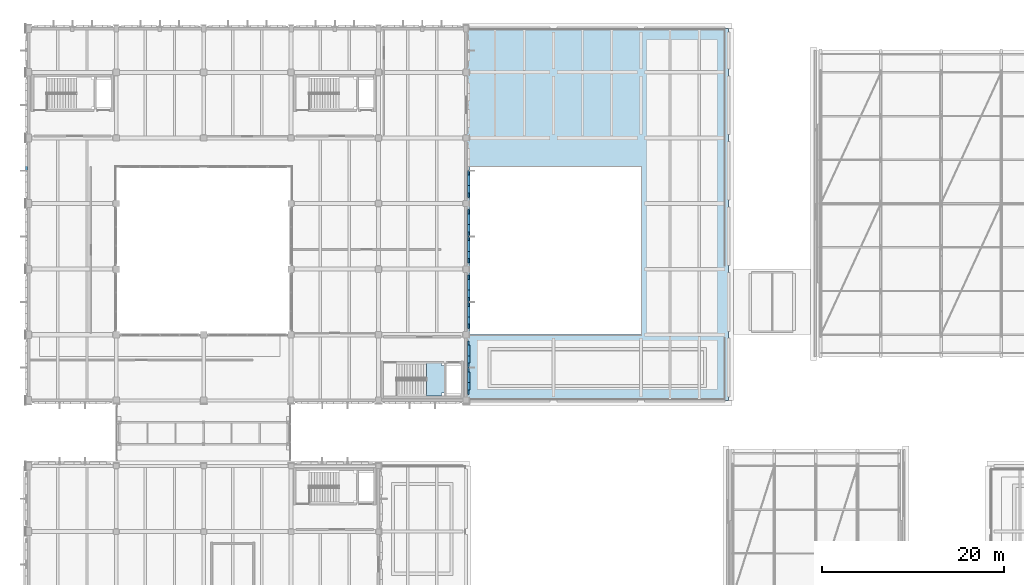
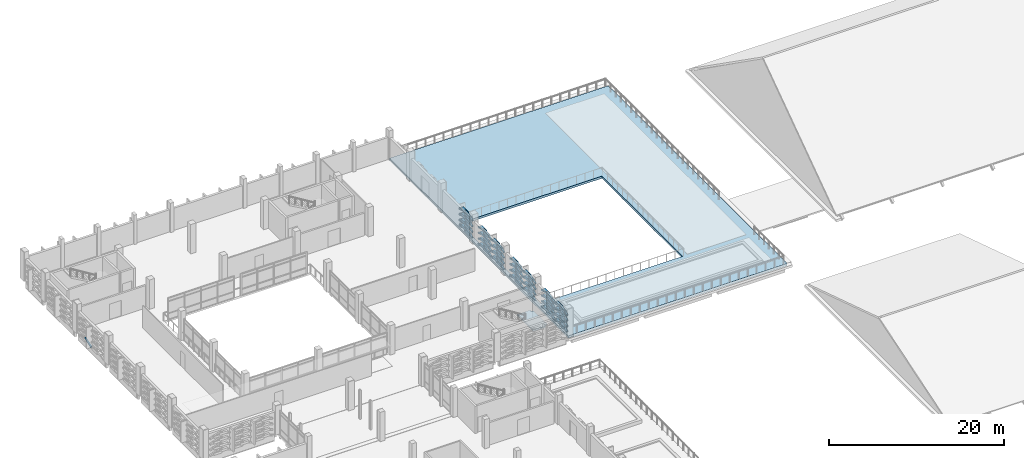
# One storey, part 99 of 134: 113 plates, 2 slabs, 1 element without a shape of its own.
"""IFC4 building model written with IfcOpenShell, lengths in metres."""

from ifc_helpers import new_model, si_unit, direction, frame, origin, origin_2d, place, context, subcontext, project, spatial, polyline, rectangle, hollow_rectangle, outline, extrude, material, layer, layer_set, material_profile, profile_set, type_object, element, aggregate, save


model = new_model("IFC4")

# Units and contexts
model_context = context("Model", 3, precision=1e-05, world=origin(), true_north=direction((0.0, 1.0)))
body_context = subcontext(model_context, "Body", "Model", "MODEL_VIEW")
ifc_project = project(units=[si_unit("LENGTHUNIT", "METRE"), si_unit("AREAUNIT", "SQUARE_METRE"), si_unit("VOLUMEUNIT", "CUBIC_METRE"), si_unit("PLANEANGLEUNIT", "RADIAN"), si_unit("MASSUNIT", "GRAM", prefix="KILO")], contexts=[model_context])

# Site, building, storey
site_placement = place(None, origin())
site = spatial("IfcSite", under=ifc_project, at=site_placement, CompositionType="ELEMENT")
building_placement = place(site_placement, origin())
building = spatial("IfcBuilding", under=site, at=building_placement, Name="Asteropetra Specialist Clinic", CompositionType="ELEMENT")
storey_placement = place(building_placement, frame((0.0, 0.0, 8.5)))
storey = spatial("IfcBuildingStorey", under=building, at=storey_placement, Name="L02", CompositionType="ELEMENT", Elevation=8.5)

# Plates
ifc_material_1 = material(Name="Chevron emerald aluminium 6063-T6", Category="aluminium")
ifc_material_profile = material_profile(ifc_material_1, hollow_rectangle(XDim=0.199951171875, YDim=0.199951171875, WallThickness=0.010009765625, InnerFilletRadius=0.008056640625, OuterFilletRadius=0.01611328125, at=origin_2d()), Name="SHS 200x200x10.0")
ifc_profile_set = profile_set([ifc_material_profile], Name="Chevron emerald aluminium 6063-T6")
plate_type_1 = type_object("IfcPlateType", Name="CHV-RIB-200", PredefinedType="SHEET", material=ifc_profile_set)
plate_1_placement = place(storey_placement, frame((48.241943359375, 70.2900390625, 0.050048828125), z_axis=(0.0, 0.952521261695, 0.304472077568), x_axis=(-1.0, 0.0, 0.0)))
element("IfcPlate", 1, at=plate_1_placement, inside=storey, type_object=plate_type_1, Name="Chevron Facade Screen Fin CVR-1043", PredefinedType="SHEET", context=body_context, shape_type="SweptSolid", body=[
    extrude(hollow_rectangle(XDim=0.199951171875, YDim=0.199951171875, WallThickness=0.010009765625, InnerFilletRadius=0.008056640625, OuterFilletRadius=0.01611328125, at=origin_2d()), origin(), (0.0, 0.0, 1.0), 1.51708984375),
])
plate_2_placement = place(storey_placement, frame((48.241943359375, 71.735107421875, 0.511962890625), z_axis=(0.0, 0.952506339897, -0.304518755506), x_axis=(-1.0, 0.0, 0.0)))
element("IfcPlate", 2, at=plate_2_placement, inside=storey, type_object=plate_type_1, Name="Chevron Facade Screen Fin CVR-1044", PredefinedType="SHEET", context=body_context, shape_type="SweptSolid", body=[
    extrude(hollow_rectangle(XDim=0.199951171875, YDim=0.199951171875, WallThickness=0.010009765625, InnerFilletRadius=0.008056640625, OuterFilletRadius=0.01611328125, at=origin_2d()), origin(), (0.0, 0.0, 1.0), 1.516845703125),
])
plate_3_placement = place(storey_placement, frame((48.241943359375, 70.2900390625, 0.820068359375), z_axis=(0.0, 0.952521261695, 0.304472077568), x_axis=(-1.0, 0.0, 0.0)))
element("IfcPlate", 3, at=plate_3_placement, inside=storey, type_object=plate_type_1, Name="Chevron Facade Screen Fin CVR-1045", PredefinedType="SHEET", context=body_context, shape_type="SweptSolid", body=[
    extrude(hollow_rectangle(XDim=0.199951171875, YDim=0.199951171875, WallThickness=0.010009765625, InnerFilletRadius=0.008056640625, OuterFilletRadius=0.01611328125, at=origin_2d()), origin(), (0.0, 0.0, 1.0), 1.51708984375),
])
plate_4_placement = place(storey_placement, frame((48.241943359375, 71.735107421875, 1.281982421875), z_axis=(0.0, 0.952506339897, -0.304518755506), x_axis=(-1.0, 0.0, 0.0)))
element("IfcPlate", 4, at=plate_4_placement, inside=storey, type_object=plate_type_1, Name="Chevron Facade Screen Fin CVR-1046", PredefinedType="SHEET", context=body_context, shape_type="SweptSolid", body=[
    extrude(hollow_rectangle(XDim=0.199951171875, YDim=0.199951171875, WallThickness=0.010009765625, InnerFilletRadius=0.008056640625, OuterFilletRadius=0.01611328125, at=origin_2d()), origin(), (0.0, 0.0, 1.0), 1.516845703125),
])
plate_5_placement = place(storey_placement, frame((48.241943359375, 70.2900390625, 1.6201171875), z_axis=(0.0, 0.952567923938, 0.30432605916), x_axis=(-1.0, 0.0, 0.0)))
element("IfcPlate", 5, at=plate_5_placement, inside=storey, type_object=plate_type_1, Name="Chevron Facade Screen Fin CVR-1047", PredefinedType="SHEET", context=body_context, shape_type="SweptSolid", body=[
    extrude(hollow_rectangle(XDim=0.199951171875, YDim=0.199951171875, WallThickness=0.010009765625, InnerFilletRadius=0.008056640625, OuterFilletRadius=0.01611328125, at=origin_2d()), origin(), (0.0, 0.0, 1.0), 1.51708984375),
])
plate_6_placement = place(storey_placement, frame((48.241943359375, 71.735107421875, 2.081787109375), z_axis=(0.0, 0.952553015719, -0.304372719284), x_axis=(-1.0, 0.0, 0.0)))
element("IfcPlate", 6, at=plate_6_placement, inside=storey, type_object=plate_type_1, Name="Chevron Facade Screen Fin CVR-1048", PredefinedType="SHEET", context=body_context, shape_type="SweptSolid", body=[
    extrude(hollow_rectangle(XDim=0.199951171875, YDim=0.199951171875, WallThickness=0.010009765625, InnerFilletRadius=0.008056640625, OuterFilletRadius=0.01611328125, at=origin_2d()), origin(), (0.0, 0.0, 1.0), 1.516845703125),
])
plate_7_placement = place(storey_placement, frame((48.241943359375, 70.2900390625, 2.39990234375), z_axis=(0.0, 0.952521261695, 0.304472077568), x_axis=(-1.0, 0.0, 0.0)))
element("IfcPlate", 7, at=plate_7_placement, inside=storey, type_object=plate_type_1, Name="Chevron Facade Screen Fin CVR-1049", PredefinedType="SHEET", context=body_context, shape_type="SweptSolid", body=[
    extrude(hollow_rectangle(XDim=0.199951171875, YDim=0.199951171875, WallThickness=0.010009765625, InnerFilletRadius=0.008056640625, OuterFilletRadius=0.01611328125, at=origin_2d()), origin(), (0.0, 0.0, 1.0), 1.51708984375),
])
plate_8_placement = place(storey_placement, frame((48.241943359375, 71.735107421875, 2.86181640625), z_axis=(0.0, 0.952506339897, -0.304518755506), x_axis=(-1.0, 0.0, 0.0)))
element("IfcPlate", 8, at=plate_8_placement, inside=storey, type_object=plate_type_1, Name="Chevron Facade Screen Fin CVR-1050", PredefinedType="SHEET", context=body_context, shape_type="SweptSolid", body=[
    extrude(hollow_rectangle(XDim=0.199951171875, YDim=0.199951171875, WallThickness=0.010009765625, InnerFilletRadius=0.008056640625, OuterFilletRadius=0.01611328125, at=origin_2d()), origin(), (0.0, 0.0, 1.0), 1.516845703125),
])
for number, where, z_axis, x_axis, name in (
    (9, (48.241943359375, 73.219970703125, 0.050048828125), (0.0, 0.952521261695, 0.304472077568), (-1.0, 0.0, 0.0), "Chevron Facade Screen Fin CVR-1051"),
    (10, (48.241943359375, 74.6650390625, 0.511962890625), (0.0, 0.952521261695, -0.304472077568), (-1.0, 0.0, 0.0), "Chevron Facade Screen Fin CVR-1052"),
    (11, (48.241943359375, 73.219970703125, 0.820068359375), (0.0, 0.952521261695, 0.304472077568), (-1.0, 0.0, 0.0), "Chevron Facade Screen Fin CVR-1053"),
    (12, (48.241943359375, 74.6650390625, 1.281982421875), (0.0, 0.952521261695, -0.304472077568), (-1.0, 0.0, 0.0), "Chevron Facade Screen Fin CVR-1054"),
    (13, (48.241943359375, 73.219970703125, 1.6201171875), (0.0, 0.952567923938, 0.30432605916), (-1.0, 0.0, 0.0), "Chevron Facade Screen Fin CVR-1055"),
    (14, (48.241943359375, 74.6650390625, 2.081787109375), (0.0, 0.952567923938, -0.30432605916), (-1.0, 0.0, 0.0), "Chevron Facade Screen Fin CVR-1056"),
    (15, (48.241943359375, 73.219970703125, 2.39990234375), (0.0, 0.952521261695, 0.304472077568), (-1.0, 0.0, 0.0), "Chevron Facade Screen Fin CVR-1057"),
    (16, (48.241943359375, 74.6650390625, 2.86181640625), (0.0, 0.952521261695, -0.304472077568), (-1.0, 0.0, 0.0), "Chevron Facade Screen Fin CVR-1058"),
    (17, (48.241943359375, 77.489990234375, 0.050048828125), (0.0, 0.952521261695, 0.304472077568), (-1.0, 0.0, 0.0), "Chevron Facade Screen Fin CVR-1075"),
):
    element("IfcPlate", number, at=place(storey_placement, frame(where, z_axis=z_axis, x_axis=x_axis)), inside=storey, type_object=plate_type_1, Name=name, PredefinedType="SHEET", context=body_context, shape_type="SweptSolid", body=[
        extrude(hollow_rectangle(XDim=0.199951171875, YDim=0.199951171875, WallThickness=0.010009765625, InnerFilletRadius=0.008056640625, OuterFilletRadius=0.01611328125, at=origin_2d()), origin(), (0.0, 0.0, 1.0), 1.51708984375),
    ])
plate_9_placement = place(storey_placement, frame((48.241943359375, 78.93505859375, 0.511962890625), z_axis=(0.0, 0.952506339897, -0.304518755506), x_axis=(-1.0, 0.0, 0.0)))
element("IfcPlate", 18, at=plate_9_placement, inside=storey, type_object=plate_type_1, Name="Chevron Facade Screen Fin CVR-1076", PredefinedType="SHEET", context=body_context, shape_type="SweptSolid", body=[
    extrude(hollow_rectangle(XDim=0.199951171875, YDim=0.199951171875, WallThickness=0.010009765625, InnerFilletRadius=0.008056640625, OuterFilletRadius=0.01611328125, at=origin_2d()), origin(), (0.0, 0.0, 1.0), 1.516845703125),
])
plate_10_placement = place(storey_placement, frame((48.241943359375, 77.489990234375, 0.820068359375), z_axis=(0.0, 0.952521261695, 0.304472077568), x_axis=(-1.0, 0.0, 0.0)))
element("IfcPlate", 19, at=plate_10_placement, inside=storey, type_object=plate_type_1, Name="Chevron Facade Screen Fin CVR-1077", PredefinedType="SHEET", context=body_context, shape_type="SweptSolid", body=[
    extrude(hollow_rectangle(XDim=0.199951171875, YDim=0.199951171875, WallThickness=0.010009765625, InnerFilletRadius=0.008056640625, OuterFilletRadius=0.01611328125, at=origin_2d()), origin(), (0.0, 0.0, 1.0), 1.51708984375),
])
plate_11_placement = place(storey_placement, frame((48.241943359375, 78.93505859375, 1.281982421875), z_axis=(0.0, 0.952506339897, -0.304518755506), x_axis=(-1.0, 0.0, 0.0)))
element("IfcPlate", 20, at=plate_11_placement, inside=storey, type_object=plate_type_1, Name="Chevron Facade Screen Fin CVR-1078", PredefinedType="SHEET", context=body_context, shape_type="SweptSolid", body=[
    extrude(hollow_rectangle(XDim=0.199951171875, YDim=0.199951171875, WallThickness=0.010009765625, InnerFilletRadius=0.008056640625, OuterFilletRadius=0.01611328125, at=origin_2d()), origin(), (0.0, 0.0, 1.0), 1.516845703125),
])
plate_12_placement = place(storey_placement, frame((48.241943359375, 77.489990234375, 1.6201171875), z_axis=(0.0, 0.952567923938, 0.30432605916), x_axis=(-1.0, 0.0, 0.0)))
element("IfcPlate", 21, at=plate_12_placement, inside=storey, type_object=plate_type_1, Name="Chevron Facade Screen Fin CVR-1079", PredefinedType="SHEET", context=body_context, shape_type="SweptSolid", body=[
    extrude(hollow_rectangle(XDim=0.199951171875, YDim=0.199951171875, WallThickness=0.010009765625, InnerFilletRadius=0.008056640625, OuterFilletRadius=0.01611328125, at=origin_2d()), origin(), (0.0, 0.0, 1.0), 1.51708984375),
])
plate_13_placement = place(storey_placement, frame((48.241943359375, 78.93505859375, 2.081787109375), z_axis=(0.0, 0.952553015719, -0.304372719284), x_axis=(-1.0, 0.0, 0.0)))
element("IfcPlate", 22, at=plate_13_placement, inside=storey, type_object=plate_type_1, Name="Chevron Facade Screen Fin CVR-1080", PredefinedType="SHEET", context=body_context, shape_type="SweptSolid", body=[
    extrude(hollow_rectangle(XDim=0.199951171875, YDim=0.199951171875, WallThickness=0.010009765625, InnerFilletRadius=0.008056640625, OuterFilletRadius=0.01611328125, at=origin_2d()), origin(), (0.0, 0.0, 1.0), 1.516845703125),
])
plate_14_placement = place(storey_placement, frame((48.241943359375, 77.489990234375, 2.39990234375), z_axis=(0.0, 0.952521261695, 0.304472077568), x_axis=(-1.0, 0.0, 0.0)))
element("IfcPlate", 23, at=plate_14_placement, inside=storey, type_object=plate_type_1, Name="Chevron Facade Screen Fin CVR-1081", PredefinedType="SHEET", context=body_context, shape_type="SweptSolid", body=[
    extrude(hollow_rectangle(XDim=0.199951171875, YDim=0.199951171875, WallThickness=0.010009765625, InnerFilletRadius=0.008056640625, OuterFilletRadius=0.01611328125, at=origin_2d()), origin(), (0.0, 0.0, 1.0), 1.51708984375),
])
plate_15_placement = place(storey_placement, frame((48.241943359375, 78.93505859375, 2.86181640625), z_axis=(0.0, 0.952506339897, -0.304518755506), x_axis=(-1.0, 0.0, 0.0)))
element("IfcPlate", 24, at=plate_15_placement, inside=storey, type_object=plate_type_1, Name="Chevron Facade Screen Fin CVR-1082", PredefinedType="SHEET", context=body_context, shape_type="SweptSolid", body=[
    extrude(hollow_rectangle(XDim=0.199951171875, YDim=0.199951171875, WallThickness=0.010009765625, InnerFilletRadius=0.008056640625, OuterFilletRadius=0.01611328125, at=origin_2d()), origin(), (0.0, 0.0, 1.0), 1.516845703125),
])
for number, where, z_axis, x_axis, name in (
    (25, (48.241943359375, 80.419921875, 0.050048828125), (0.0, 0.952521261695, 0.304472077568), (-1.0, 0.0, 0.0), "Chevron Facade Screen Fin CVR-1083"),
    (26, (48.241943359375, 81.864990234375, 0.511962890625), (0.0, 0.952521261695, -0.304472077568), (-1.0, 0.0, 0.0), "Chevron Facade Screen Fin CVR-1084"),
    (27, (48.241943359375, 80.419921875, 0.820068359375), (0.0, 0.952521261695, 0.304472077568), (-1.0, 0.0, 0.0), "Chevron Facade Screen Fin CVR-1085"),
    (28, (48.241943359375, 81.864990234375, 1.281982421875), (0.0, 0.952521261695, -0.304472077568), (-1.0, 0.0, 0.0), "Chevron Facade Screen Fin CVR-1086"),
    (29, (48.241943359375, 80.419921875, 1.6201171875), (0.0, 0.952567923938, 0.30432605916), (-1.0, 0.0, 0.0), "Chevron Facade Screen Fin CVR-1087"),
    (30, (48.241943359375, 81.864990234375, 2.081787109375), (0.0, 0.952567923938, -0.30432605916), (-1.0, 0.0, 0.0), "Chevron Facade Screen Fin CVR-1088"),
    (31, (48.241943359375, 80.419921875, 2.39990234375), (0.0, 0.952521261695, 0.304472077568), (-1.0, 0.0, 0.0), "Chevron Facade Screen Fin CVR-1089"),
    (32, (48.241943359375, 81.864990234375, 2.86181640625), (0.0, 0.952521261695, -0.304472077568), (-1.0, 0.0, 0.0), "Chevron Facade Screen Fin CVR-1090"),
    (33, (48.241943359375, 84.68994140625, 0.050048828125), (0.0, 0.952521261695, 0.304472077568), (-1.0, 0.0, 0.0), "Chevron Facade Screen Fin CVR-1107"),
    (34, (48.241943359375, 86.135009765625, 0.511962890625), (0.0, 0.952521261695, -0.304472077568), (-1.0, 0.0, 0.0), "Chevron Facade Screen Fin CVR-1108"),
    (35, (48.241943359375, 84.68994140625, 0.820068359375), (0.0, 0.952521261695, 0.304472077568), (-1.0, 0.0, 0.0), "Chevron Facade Screen Fin CVR-1109"),
    (36, (48.241943359375, 86.135009765625, 1.281982421875), (0.0, 0.952521261695, -0.304472077568), (-1.0, 0.0, 0.0), "Chevron Facade Screen Fin CVR-1110"),
    (37, (48.241943359375, 84.68994140625, 1.6201171875), (0.0, 0.952567923938, 0.30432605916), (-1.0, 0.0, 0.0), "Chevron Facade Screen Fin CVR-1111"),
    (38, (48.241943359375, 86.135009765625, 2.081787109375), (0.0, 0.952567923938, -0.30432605916), (-1.0, 0.0, 0.0), "Chevron Facade Screen Fin CVR-1112"),
    (39, (48.241943359375, 84.68994140625, 2.39990234375), (0.0, 0.952521261695, 0.304472077568), (-1.0, 0.0, 0.0), "Chevron Facade Screen Fin CVR-1113"),
    (40, (48.241943359375, 86.135009765625, 2.86181640625), (0.0, 0.952521261695, -0.304472077568), (-1.0, 0.0, 0.0), "Chevron Facade Screen Fin CVR-1114"),
):
    element("IfcPlate", number, at=place(storey_placement, frame(where, z_axis=z_axis, x_axis=x_axis)), inside=storey, type_object=plate_type_1, Name=name, PredefinedType="SHEET", context=body_context, shape_type="SweptSolid", body=[
        extrude(hollow_rectangle(XDim=0.199951171875, YDim=0.199951171875, WallThickness=0.010009765625, InnerFilletRadius=0.008056640625, OuterFilletRadius=0.01611328125, at=origin_2d()), origin(), (0.0, 0.0, 1.0), 1.51708984375),
    ])
plate_16_placement = place(storey_placement, frame((48.241943359375, 87.6201171875, 0.050048828125), z_axis=(0.0, 0.952506339897, 0.304518755506), x_axis=(-1.0, 0.0, 0.0)))
element("IfcPlate", 41, at=plate_16_placement, inside=storey, type_object=plate_type_1, Name="Chevron Facade Screen Fin CVR-1115", PredefinedType="SHEET", context=body_context, shape_type="SweptSolid", body=[
    extrude(hollow_rectangle(XDim=0.199951171875, YDim=0.199951171875, WallThickness=0.010009765625, InnerFilletRadius=0.008056640625, OuterFilletRadius=0.01611328125, at=origin_2d()), origin(), (0.0, 0.0, 1.0), 1.516845703125),
])
plate_17_placement = place(storey_placement, frame((48.241943359375, 89.06494140625, 0.511962890625), z_axis=(0.0, 0.952521261695, -0.304472077568), x_axis=(-1.0, 0.0, 0.0)))
element("IfcPlate", 42, at=plate_17_placement, inside=storey, type_object=plate_type_1, Name="Chevron Facade Screen Fin CVR-1116", PredefinedType="SHEET", context=body_context, shape_type="SweptSolid", body=[
    extrude(hollow_rectangle(XDim=0.199951171875, YDim=0.199951171875, WallThickness=0.010009765625, InnerFilletRadius=0.008056640625, OuterFilletRadius=0.01611328125, at=origin_2d()), origin(), (0.0, 0.0, 1.0), 1.51708984375),
])
plate_18_placement = place(storey_placement, frame((48.241943359375, 87.6201171875, 0.820068359375), z_axis=(0.0, 0.952506339897, 0.304518755506), x_axis=(-1.0, 0.0, 0.0)))
element("IfcPlate", 43, at=plate_18_placement, inside=storey, type_object=plate_type_1, Name="Chevron Facade Screen Fin CVR-1117", PredefinedType="SHEET", context=body_context, shape_type="SweptSolid", body=[
    extrude(hollow_rectangle(XDim=0.199951171875, YDim=0.199951171875, WallThickness=0.010009765625, InnerFilletRadius=0.008056640625, OuterFilletRadius=0.01611328125, at=origin_2d()), origin(), (0.0, 0.0, 1.0), 1.516845703125),
])
plate_19_placement = place(storey_placement, frame((48.241943359375, 89.06494140625, 1.281982421875), z_axis=(0.0, 0.952521261695, -0.304472077568), x_axis=(-1.0, 0.0, 0.0)))
element("IfcPlate", 44, at=plate_19_placement, inside=storey, type_object=plate_type_1, Name="Chevron Facade Screen Fin CVR-1118", PredefinedType="SHEET", context=body_context, shape_type="SweptSolid", body=[
    extrude(hollow_rectangle(XDim=0.199951171875, YDim=0.199951171875, WallThickness=0.010009765625, InnerFilletRadius=0.008056640625, OuterFilletRadius=0.01611328125, at=origin_2d()), origin(), (0.0, 0.0, 1.0), 1.51708984375),
])
plate_20_placement = place(storey_placement, frame((48.241943359375, 87.6201171875, 1.6201171875), z_axis=(0.0, 0.952553015719, 0.304372719284), x_axis=(-1.0, 0.0, 0.0)))
element("IfcPlate", 45, at=plate_20_placement, inside=storey, type_object=plate_type_1, Name="Chevron Facade Screen Fin CVR-1119", PredefinedType="SHEET", context=body_context, shape_type="SweptSolid", body=[
    extrude(hollow_rectangle(XDim=0.199951171875, YDim=0.199951171875, WallThickness=0.010009765625, InnerFilletRadius=0.008056640625, OuterFilletRadius=0.01611328125, at=origin_2d()), origin(), (0.0, 0.0, 1.0), 1.516845703125),
])
plate_21_placement = place(storey_placement, frame((48.241943359375, 89.06494140625, 2.081787109375), z_axis=(0.0, 0.952567923938, -0.30432605916), x_axis=(-1.0, 0.0, 0.0)))
element("IfcPlate", 46, at=plate_21_placement, inside=storey, type_object=plate_type_1, Name="Chevron Facade Screen Fin CVR-1120", PredefinedType="SHEET", context=body_context, shape_type="SweptSolid", body=[
    extrude(hollow_rectangle(XDim=0.199951171875, YDim=0.199951171875, WallThickness=0.010009765625, InnerFilletRadius=0.008056640625, OuterFilletRadius=0.01611328125, at=origin_2d()), origin(), (0.0, 0.0, 1.0), 1.51708984375),
])
plate_22_placement = place(storey_placement, frame((48.241943359375, 87.6201171875, 2.39990234375), z_axis=(0.0, 0.952506339897, 0.304518755506), x_axis=(-1.0, 0.0, 0.0)))
element("IfcPlate", 47, at=plate_22_placement, inside=storey, type_object=plate_type_1, Name="Chevron Facade Screen Fin CVR-1121", PredefinedType="SHEET", context=body_context, shape_type="SweptSolid", body=[
    extrude(hollow_rectangle(XDim=0.199951171875, YDim=0.199951171875, WallThickness=0.010009765625, InnerFilletRadius=0.008056640625, OuterFilletRadius=0.01611328125, at=origin_2d()), origin(), (0.0, 0.0, 1.0), 1.516845703125),
])
plate_23_placement = place(storey_placement, frame((48.241943359375, 89.06494140625, 2.86181640625), z_axis=(0.0, 0.952521261695, -0.304472077568), x_axis=(-1.0, 0.0, 0.0)))
element("IfcPlate", 48, at=plate_23_placement, inside=storey, type_object=plate_type_1, Name="Chevron Facade Screen Fin CVR-1122", PredefinedType="SHEET", context=body_context, shape_type="SweptSolid", body=[
    extrude(hollow_rectangle(XDim=0.199951171875, YDim=0.199951171875, WallThickness=0.010009765625, InnerFilletRadius=0.008056640625, OuterFilletRadius=0.01611328125, at=origin_2d()), origin(), (0.0, 0.0, 1.0), 1.51708984375),
])
plate_24_placement = place(storey_placement, frame((-0.241943359375, 96.2275390625, 0.5), z_axis=(0.0, -0.952510437396, -0.304505938616), x_axis=(1.0, 0.0, 0.0)))
element("IfcPlate", 49, at=plate_24_placement, inside=storey, type_object=plate_type_1, Name="Chevron Facade Screen Fin CVR-1124", PredefinedType="SHEET", context=body_context, shape_type="SweptSolid", body=[
    extrude(hollow_rectangle(XDim=0.199951171875, YDim=0.199951171875, WallThickness=0.010009765625, InnerFilletRadius=0.008056640625, OuterFilletRadius=0.01611328125, at=origin_2d()), origin(), (0.0, 0.0, 1.0), 1.4775390625),
])
for number, where, z_axis, x_axis, name in (
    (50, (48.241943359375, 91.889892578125, 0.050048828125), (0.0, 0.952521261695, 0.304472077568), (-1.0, 0.0, 0.0), "Chevron Facade Screen Fin CVR-1139"),
    (51, (48.241943359375, 93.3349609375, 0.511962890625), (0.0, 0.952521261695, -0.304472077568), (-1.0, 0.0, 0.0), "Chevron Facade Screen Fin CVR-1140"),
    (52, (48.241943359375, 91.889892578125, 0.820068359375), (0.0, 0.952521261695, 0.304472077568), (-1.0, 0.0, 0.0), "Chevron Facade Screen Fin CVR-1141"),
    (53, (48.241943359375, 93.3349609375, 1.281982421875), (0.0, 0.952521261695, -0.304472077568), (-1.0, 0.0, 0.0), "Chevron Facade Screen Fin CVR-1142"),
    (54, (48.241943359375, 91.889892578125, 1.6201171875), (0.0, 0.952567923938, 0.30432605916), (-1.0, 0.0, 0.0), "Chevron Facade Screen Fin CVR-1143"),
    (55, (48.241943359375, 93.3349609375, 2.081787109375), (0.0, 0.952567923938, -0.30432605916), (-1.0, 0.0, 0.0), "Chevron Facade Screen Fin CVR-1144"),
    (56, (48.241943359375, 91.889892578125, 2.39990234375), (0.0, 0.952521261695, 0.304472077568), (-1.0, 0.0, 0.0), "Chevron Facade Screen Fin CVR-1145"),
    (57, (48.241943359375, 93.3349609375, 2.86181640625), (0.0, 0.952521261695, -0.304472077568), (-1.0, 0.0, 0.0), "Chevron Facade Screen Fin CVR-1146"),
):
    element("IfcPlate", number, at=place(storey_placement, frame(where, z_axis=z_axis, x_axis=x_axis)), inside=storey, type_object=plate_type_1, Name=name, PredefinedType="SHEET", context=body_context, shape_type="SweptSolid", body=[
        extrude(hollow_rectangle(XDim=0.199951171875, YDim=0.199951171875, WallThickness=0.010009765625, InnerFilletRadius=0.008056640625, OuterFilletRadius=0.01611328125, at=origin_2d()), origin(), (0.0, 0.0, 1.0), 1.51708984375),
    ])
ifc_material_2 = material(Name="Aluminium 6063-T6", Category="aluminium")
ifc_layer_1 = layer(ifc_material_2, 0.139892578125)
ifc_layer_set_1 = layer_set([ifc_layer_1], Name="Aluminium 6063-T6")
plate_type_2 = type_object("IfcPlateType", Name="PLT-CHV-TILE", PredefinedType="SHEET", material=ifc_layer_set_1)
for number, where, z_axis, x_axis, name in (
    (58, (48.280029296875, 71.330322265625, 0.03857421875), (0.0, 0.0, 1.0), (1.0, 0.0, 0.0), "Chevron Ceramic Panel CPT-0713"),
    (59, (48.280029296875, 72.1396484375, 0.2138671875), (0.0, 0.0, 1.0), (1.0, 0.0, 0.0), "Chevron Ceramic Panel CPT-0714"),
    (60, (48.280029296875, 71.330322265625, 0.80859375), (0.0, 0.0, 1.0), (1.0, 0.0, 0.0), "Chevron Ceramic Panel CPT-0715"),
    (61, (48.280029296875, 72.1396484375, 0.98388671875), (0.0, 0.0, 1.0), (1.0, 0.0, 0.0), "Chevron Ceramic Panel CPT-0716"),
    (62, (48.280029296875, 71.330322265625, 1.6083984375), (0.0, 0.0, 1.0), (1.0, 0.0, 0.0), "Chevron Ceramic Panel CPT-0717"),
    (63, (48.280029296875, 72.1396484375, 1.7841796875), (0.0, 0.0, 1.0), (1.0, 0.0, 0.0), "Chevron Ceramic Panel CPT-0718"),
    (64, (48.280029296875, 71.330322265625, 2.388671875), (0.0, 0.0, 1.0), (1.0, 0.0, 0.0), "Chevron Ceramic Panel CPT-0719"),
    (65, (48.280029296875, 72.1396484375, 2.56396484375), (0.0, 0.0, 1.0), (1.0, 0.0, 0.0), "Chevron Ceramic Panel CPT-0720"),
    (66, (48.280029296875, 74.260498046875, 0.03857421875), (0.0, 0.0, 1.0), (1.0, 0.0, 0.0), "Chevron Ceramic Panel CPT-0721"),
    (67, (48.280029296875, 75.069580078125, 0.2138671875), (0.0, 0.0, 1.0), (1.0, 0.0, 0.0), "Chevron Ceramic Panel CPT-0722"),
    (68, (48.280029296875, 74.260498046875, 0.80859375), (0.0, 0.0, 1.0), (1.0, 0.0, 0.0), "Chevron Ceramic Panel CPT-0723"),
    (69, (48.280029296875, 75.069580078125, 0.98388671875), (0.0, 0.0, 1.0), (1.0, 0.0, 0.0), "Chevron Ceramic Panel CPT-0724"),
    (70, (48.280029296875, 74.260498046875, 1.6083984375), (0.0, 0.0, 1.0), (1.0, 0.0, 0.0), "Chevron Ceramic Panel CPT-0725"),
    (71, (48.280029296875, 75.069580078125, 1.7841796875), (0.0, 0.0, 1.0), (1.0, 0.0, 0.0), "Chevron Ceramic Panel CPT-0726"),
    (72, (48.280029296875, 74.260498046875, 2.388671875), (0.0, 0.0, 1.0), (1.0, 0.0, 0.0), "Chevron Ceramic Panel CPT-0727"),
    (73, (48.280029296875, 75.069580078125, 2.56396484375), (0.0, 0.0, 1.0), (1.0, 0.0, 0.0), "Chevron Ceramic Panel CPT-0728"),
    (74, (48.280029296875, 78.530517578125, 0.03857421875), (0.0, 0.0, 1.0), (1.0, 0.0, 0.0), "Chevron Ceramic Panel CPT-0745"),
    (75, (48.280029296875, 79.339599609375, 0.2138671875), (0.0, 0.0, 1.0), (1.0, 0.0, 0.0), "Chevron Ceramic Panel CPT-0746"),
    (76, (48.280029296875, 78.530517578125, 0.80859375), (0.0, 0.0, 1.0), (1.0, 0.0, 0.0), "Chevron Ceramic Panel CPT-0747"),
    (77, (48.280029296875, 79.339599609375, 0.98388671875), (0.0, 0.0, 1.0), (1.0, 0.0, 0.0), "Chevron Ceramic Panel CPT-0748"),
    (78, (48.280029296875, 78.530517578125, 1.6083984375), (0.0, 0.0, 1.0), (1.0, 0.0, 0.0), "Chevron Ceramic Panel CPT-0749"),
    (79, (48.280029296875, 79.339599609375, 1.7841796875), (0.0, 0.0, 1.0), (1.0, 0.0, 0.0), "Chevron Ceramic Panel CPT-0750"),
    (80, (48.280029296875, 78.530517578125, 2.388671875), (0.0, 0.0, 1.0), (1.0, 0.0, 0.0), "Chevron Ceramic Panel CPT-0751"),
    (81, (48.280029296875, 79.339599609375, 2.56396484375), (0.0, 0.0, 1.0), (1.0, 0.0, 0.0), "Chevron Ceramic Panel CPT-0752"),
    (82, (48.280029296875, 81.46044921875, 0.03857421875), (0.0, 0.0, 1.0), (1.0, 0.0, 0.0), "Chevron Ceramic Panel CPT-0753"),
    (83, (48.280029296875, 82.26953125, 0.2138671875), (0.0, 0.0, 1.0), (1.0, 0.0, 0.0), "Chevron Ceramic Panel CPT-0754"),
    (84, (48.280029296875, 81.46044921875, 0.80859375), (0.0, 0.0, 1.0), (1.0, 0.0, 0.0), "Chevron Ceramic Panel CPT-0755"),
    (85, (48.280029296875, 82.26953125, 0.98388671875), (0.0, 0.0, 1.0), (1.0, 0.0, 0.0), "Chevron Ceramic Panel CPT-0756"),
    (86, (48.280029296875, 81.46044921875, 1.6083984375), (0.0, 0.0, 1.0), (1.0, 0.0, 0.0), "Chevron Ceramic Panel CPT-0757"),
    (87, (48.280029296875, 82.26953125, 1.7841796875), (0.0, 0.0, 1.0), (1.0, 0.0, 0.0), "Chevron Ceramic Panel CPT-0758"),
    (88, (48.280029296875, 81.46044921875, 2.388671875), (0.0, 0.0, 1.0), (1.0, 0.0, 0.0), "Chevron Ceramic Panel CPT-0759"),
    (89, (48.280029296875, 82.26953125, 2.56396484375), (0.0, 0.0, 1.0), (1.0, 0.0, 0.0), "Chevron Ceramic Panel CPT-0760"),
    (90, (48.280029296875, 85.73046875, 0.03857421875), (0.0, 0.0, 1.0), (1.0, 0.0, 0.0), "Chevron Ceramic Panel CPT-0777"),
    (91, (48.280029296875, 86.53955078125, 0.2138671875), (0.0, 0.0, 1.0), (1.0, 0.0, 0.0), "Chevron Ceramic Panel CPT-0778"),
    (92, (48.280029296875, 85.73046875, 0.80859375), (0.0, 0.0, 1.0), (1.0, 0.0, 0.0), "Chevron Ceramic Panel CPT-0779"),
    (93, (48.280029296875, 86.53955078125, 0.98388671875), (0.0, 0.0, 1.0), (1.0, 0.0, 0.0), "Chevron Ceramic Panel CPT-0780"),
    (94, (48.280029296875, 85.73046875, 1.6083984375), (0.0, 0.0, 1.0), (1.0, 0.0, 0.0), "Chevron Ceramic Panel CPT-0781"),
    (95, (48.280029296875, 86.53955078125, 1.7841796875), (0.0, 0.0, 1.0), (1.0, 0.0, 0.0), "Chevron Ceramic Panel CPT-0782"),
    (96, (48.280029296875, 85.73046875, 2.388671875), (0.0, 0.0, 1.0), (1.0, 0.0, 0.0), "Chevron Ceramic Panel CPT-0783"),
    (97, (48.280029296875, 86.53955078125, 2.56396484375), (0.0, 0.0, 1.0), (1.0, 0.0, 0.0), "Chevron Ceramic Panel CPT-0784"),
    (98, (48.280029296875, 88.660400390625, 0.03857421875), (0.0, 0.0, 1.0), (1.0, 0.0, 0.0), "Chevron Ceramic Panel CPT-0785"),
    (99, (48.280029296875, 89.469482421875, 0.2138671875), (0.0, 0.0, 1.0), (1.0, 0.0, 0.0), "Chevron Ceramic Panel CPT-0786"),
    (100, (48.280029296875, 88.660400390625, 0.80859375), (0.0, 0.0, 1.0), (1.0, 0.0, 0.0), "Chevron Ceramic Panel CPT-0787"),
    (101, (48.280029296875, 89.469482421875, 0.98388671875), (0.0, 0.0, 1.0), (1.0, 0.0, 0.0), "Chevron Ceramic Panel CPT-0788"),
    (102, (48.280029296875, 88.660400390625, 1.6083984375), (0.0, 0.0, 1.0), (1.0, 0.0, 0.0), "Chevron Ceramic Panel CPT-0789"),
    (103, (48.280029296875, 89.469482421875, 1.7841796875), (0.0, 0.0, 1.0), (1.0, 0.0, 0.0), "Chevron Ceramic Panel CPT-0790"),
    (104, (48.280029296875, 88.660400390625, 2.388671875), (0.0, 0.0, 1.0), (1.0, 0.0, 0.0), "Chevron Ceramic Panel CPT-0791"),
    (105, (48.280029296875, 89.469482421875, 2.56396484375), (0.0, 0.0, 1.0), (1.0, 0.0, 0.0), "Chevron Ceramic Panel CPT-0792"),
    (106, (48.280029296875, 92.930419921875, 0.03857421875), (0.0, 0.0, 1.0), (1.0, 0.0, 0.0), "Chevron Ceramic Panel CPT-0809"),
    (107, (48.280029296875, 93.739501953125, 0.2138671875), (0.0, 0.0, 1.0), (1.0, 0.0, 0.0), "Chevron Ceramic Panel CPT-0810"),
    (108, (48.280029296875, 92.930419921875, 0.80859375), (0.0, 0.0, 1.0), (1.0, 0.0, 0.0), "Chevron Ceramic Panel CPT-0811"),
    (109, (48.280029296875, 93.739501953125, 0.98388671875), (0.0, 0.0, 1.0), (1.0, 0.0, 0.0), "Chevron Ceramic Panel CPT-0812"),
    (110, (48.280029296875, 92.930419921875, 1.6083984375), (0.0, 0.0, 1.0), (1.0, 0.0, 0.0), "Chevron Ceramic Panel CPT-0813"),
    (111, (48.280029296875, 93.739501953125, 1.7841796875), (0.0, 0.0, 1.0), (1.0, 0.0, 0.0), "Chevron Ceramic Panel CPT-0814"),
    (112, (48.280029296875, 92.930419921875, 2.388671875), (0.0, 0.0, 1.0), (1.0, 0.0, 0.0), "Chevron Ceramic Panel CPT-0815"),
    (113, (48.280029296875, 93.739501953125, 2.56396484375), (0.0, 0.0, 1.0), (1.0, 0.0, 0.0), "Chevron Ceramic Panel CPT-0816"),
):
    element("IfcPlate", number, at=place(storey_placement, frame(where, z_axis=z_axis, x_axis=x_axis)), inside=storey, type_object=plate_type_2, Name=name, PredefinedType="SHEET", context=body_context, shape_type="SweptSolid", body=[
        extrude(rectangle(XDim=0.280029296875, YDim=1.156005859375, at=origin_2d()), origin(), (0.0, 0.0, 1.0), 0.300048828125),
    ])

# Stair, slab
ifc_material_3 = material(Name="Concrete C35/45", Category="concrete")
stair_type = type_object("IfcStairType", Name="STR-DOG-160", PredefinedType="TWO_STRAIGHT_RUN_STAIR", material=ifc_material_3)
stair_placement = place(storey_placement, origin())
stair = element("IfcStair", 114, at=stair_placement, inside=storey, type_object=stair_type, Name="Type I Stair ST03-L02", PredefinedType="TWO_STRAIGHT_RUN_STAIR")
ifc_material_4 = material(Name="Concrete C35/45", Category="concrete")
ifc_layer_2 = layer(ifc_material_4, 0.199951171875)
ifc_layer_set_2 = layer_set([ifc_layer_2], Name="Concrete C35/45")
slab_type_1 = type_object("IfcSlabType", Name="SLB-LND-200", PredefinedType="LANDING", material=ifc_layer_set_2)
slab_1_placement = place(storey_placement, frame((0.0, 0.0, 1.840087890625)))
slab_1 = element("IfcSlab", 115, at=slab_1_placement, type_object=slab_type_1, Name="ST03-L02 landing 1", PredefinedType="LANDING", context=body_context, shape_type="SweptSolid", body=[
    extrude(outline(polyline([(43.64990234375, 70.090087890625), (45.300048828125, 70.090087890625), (45.300048828125, 70.409912109375), (45.6201171875, 70.409912109375), (45.6201171875, 73.409912109375), (45.300048828125, 73.409912109375), (45.300048828125, 73.72998046875), (43.64990234375, 73.72998046875), (43.64990234375, 70.090087890625)])), origin(), (0.0, 0.0, 1.0), 0.199951171875),
])
aggregate(stair, [slab_1])

# Slab
ifc_material_5 = material(Name="Concrete C35/45", Category="concrete")
ifc_layer_3 = layer(ifc_material_5, 0.31005859375)
ifc_layer_set_3 = layer_set([ifc_layer_3], Name="Concrete C35/45")
slab_type_2 = type_object("IfcSlabType", Name="SLB-TER-310", PredefinedType="ROOF", material=ifc_layer_set_3)
slab_2_placement = place(storey_placement, frame((0.0, 0.0, -0.31005859375)))
element("IfcSlab", 116, at=slab_2_placement, inside=storey, type_object=slab_type_2, Name="Slab V4-EAST-GARDEN L02", PredefinedType="ROOF", context=body_context, shape_type="SweptSolid", body=[
    extrude(outline(polyline([(48.0, 69.60009765625), (76.800048828125, 69.60009765625), (76.800048828125, 110.39990234375), (48.0, 110.39990234375), (48.0, 69.60009765625)]), holes=[polyline([(48.449951171875, 76.800048828125), (67.199951171875, 76.800048828125), (67.199951171875, 95.199951171875), (48.449951171875, 95.199951171875), (48.449951171875, 76.800048828125)])]), origin(), (0.0, 0.0, 1.0), 0.31005859375),
])

save(model, "model.ifc")
